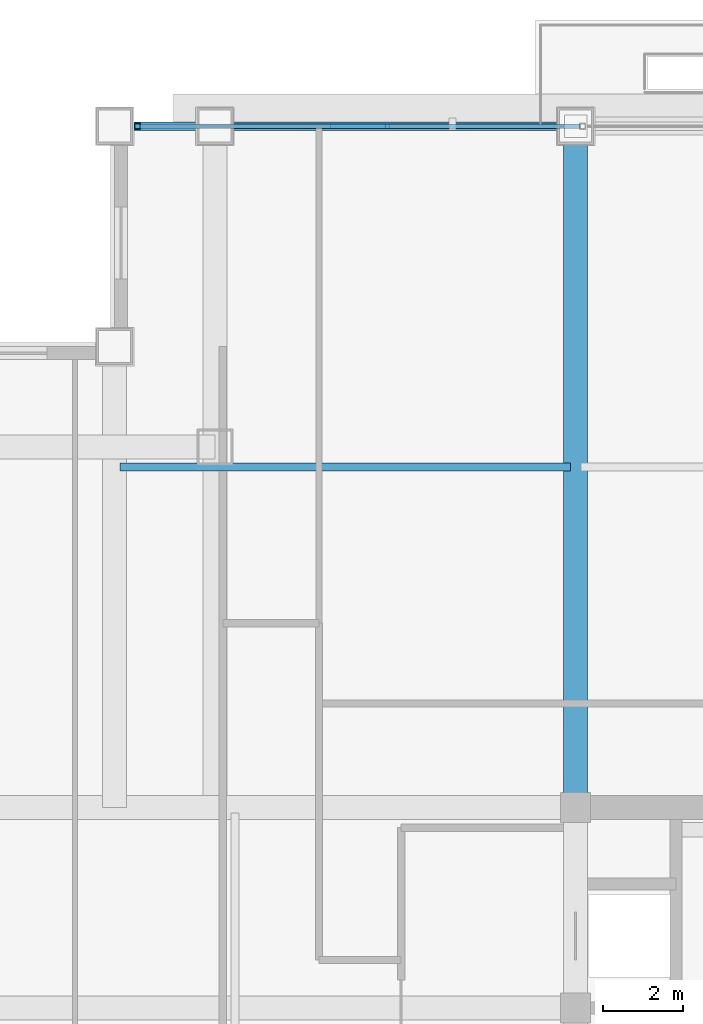
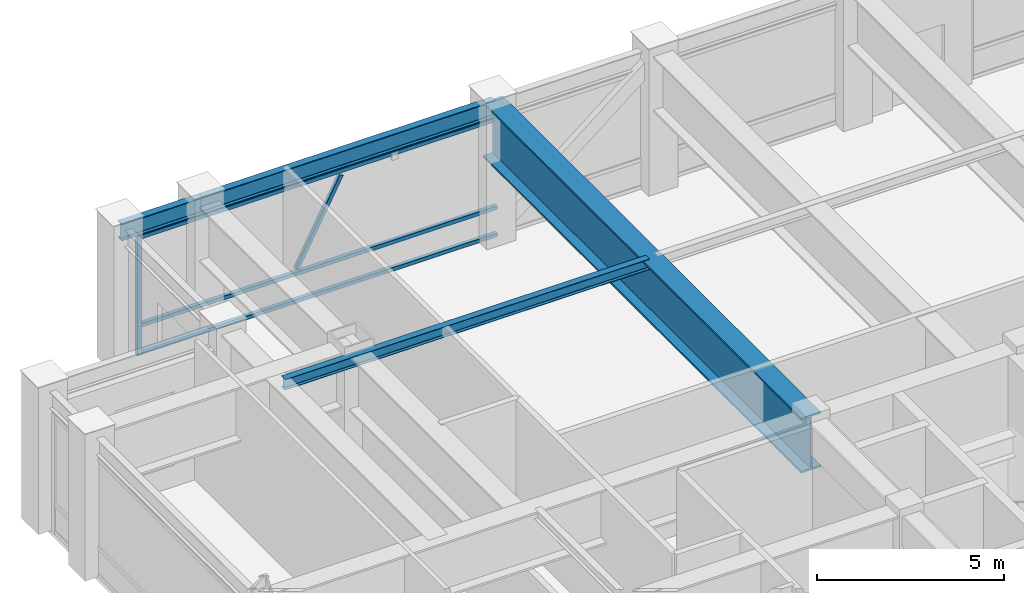
# One storey, part 15 of 31: 5 members, 4 beams, 1 element without a shape of its own.
"""IFC4 building model written with IfcOpenShell, lengths in metres."""

from ifc_helpers import new_model, si_unit, direction, frame, origin, origin_2d, place, context, subcontext, project, spatial, hollow_rectangle, i_section, extrude, source, transform, mapped, material, material_profile, profile_set, type_object, element, aggregate, save


model = new_model("IFC4")

# Units and contexts
model_context = context("Model", 3, precision=1e-05, world=origin(), true_north=direction((0.0, 1.0)))
body_context = subcontext(model_context, "Body", "Model", "MODEL_VIEW")
ifc_project = project(units=[si_unit("LENGTHUNIT", "METRE"), si_unit("AREAUNIT", "SQUARE_METRE"), si_unit("VOLUMEUNIT", "CUBIC_METRE"), si_unit("PLANEANGLEUNIT", "RADIAN"), si_unit("MASSUNIT", "GRAM", prefix="KILO")], contexts=[model_context])

# Site, building, storey
site_placement = place(None, origin())
site = spatial("IfcSite", under=ifc_project, at=site_placement, CompositionType="ELEMENT")
building_placement = place(site_placement, origin())
building = spatial("IfcBuilding", under=site, at=building_placement, Name="Khorayat Bourse Tower", CompositionType="ELEMENT")
storey_placement = place(building_placement, frame((0.0, 0.0, 321.5)))
storey = spatial("IfcBuildingStorey", under=building, at=storey_placement, Name="L76", CompositionType="ELEMENT", Elevation=321.5)

# Beams
ifc_material_1 = material(Name="Steel EN 10025-4 S460M", Category="steel")
ifc_material_profile_1 = material_profile(ifc_material_1, i_section(OverallWidth=0.60009765625, OverallDepth=1.800048828125, WebThickness=0.031982421875, FlangeThickness=0.06005859375, at=origin_2d()), Name="PG 1800x600x32x60")
ifc_profile_set_1 = profile_set([ifc_material_profile_1], Name="Steel EN 10025-4 S460M")
beam_type_1 = type_object("IfcBeamType", Name="BM-TR-1800", PredefinedType="BEAM", material=ifc_profile_set_1)
shared_shape_1 = source(origin(), body_context, "Body", "SweptSolid", [
    extrude(i_section(OverallWidth=0.60009765625, OverallDepth=1.800048828125, WebThickness=0.031982421875, FlangeThickness=0.06005859375, at=origin_2d()), origin(), (0.0, 0.0, 1.0), 17.0),
])
beam_1_placement = place(storey_placement, frame((-11.0, 11.0, 3.60009765625), z_axis=(0.0, 1.0, 0.0), x_axis=(-1.0, 0.0, 0.0)))
element("IfcBeam", 1, at=beam_1_placement, inside=storey, type_object=beam_type_1, Name="L76 BM-TR-1800 BM-L76-RADY-064", PredefinedType="BEAM", context=body_context, shape_type="MappedRepresentation", body=[
    mapped(shared_shape_1, transform((0.0, 0.0, 0.0), scale=1.0)),
])
ifc_material_2 = material(Name="Steel ASTM A992 Grade 50", Category="steel")
ifc_material_profile_2 = material_profile(ifc_material_2, i_section(OverallWidth=0.202880859375, OverallDepth=0.346923828125, WebThickness=0.0078125, FlangeThickness=0.013427734375, FilletRadius=0.010009765625, at=origin_2d()), Name="W360X64")
ifc_profile_set_2 = profile_set([ifc_material_profile_2], Name="Steel ASTM A992 Grade 50")
beam_type_2 = type_object("IfcBeamType", Name="BM-JOIST-360", PredefinedType="JOIST", material=ifc_profile_set_2)
shared_shape_2 = source(origin(), body_context, "Body", "SweptSolid", [
    extrude(i_section(OverallWidth=0.202880859375, OverallDepth=0.346923828125, WebThickness=0.0078125, FlangeThickness=0.013427734375, FilletRadius=0.010009765625, at=origin_2d()), origin(), (0.0, 0.0, 1.0), 11.240234375),
])
beam_2_placement = place(storey_placement, frame((-22.3701171875, 19.5, 4.366455078125), z_axis=(1.0, 0.0, 0.0), x_axis=(0.0, 1.0, 0.0)))
element("IfcBeam", 2, at=beam_2_placement, inside=storey, type_object=beam_type_2, Name="L76 BM-JOIST-360 BM-L76-JSTX-099", PredefinedType="JOIST", context=body_context, shape_type="MappedRepresentation", body=[
    mapped(shared_shape_2, transform((0.0, 0.0, 0.0), scale=1.0)),
])
ifc_material_profile_3 = material_profile(ifc_material_2, i_section(OverallWidth=0.214111328125, OverallDepth=0.549072265625, WebThickness=0.0146484375, FlangeThickness=0.023681640625, FilletRadius=0.013916015625, at=origin_2d()), Name="W530X138")
ifc_profile_set_3 = profile_set([ifc_material_profile_3], Name="Steel ASTM A992 Grade 50")
beam_type_3 = type_object("IfcBeamType", Name="BM-SPAN-530", PredefinedType="SPANDREL", material=ifc_profile_set_3)
shared_shape_3 = source(origin(), body_context, "Body", "SweptSolid", [
    extrude(i_section(OverallWidth=0.214111328125, OverallDepth=0.549072265625, WebThickness=0.0146484375, FlangeThickness=0.023681640625, FilletRadius=0.013916015625, at=origin_2d()), origin(), (0.0, 0.0, 1.0), 2.5),
])
beam_3_placement = place(storey_placement, frame((-22.5, 28.0, 4.2255859375), z_axis=(1.0, 0.0, 0.0), x_axis=(0.0, 1.0, 0.0)))
element("IfcBeam", 3, at=beam_3_placement, inside=storey, type_object=beam_type_3, Name="L76 BM-SPAN-530 BM-L76-SPN-051", PredefinedType="SPANDREL", context=body_context, shape_type="MappedRepresentation", body=[
    mapped(shared_shape_3, transform((0.0, 0.0, 0.0), scale=1.0)),
])
shared_shape_4 = source(origin(), body_context, "Body", "SweptSolid", [
    extrude(i_section(OverallWidth=0.214111328125, OverallDepth=0.549072265625, WebThickness=0.0146484375, FlangeThickness=0.023681640625, FilletRadius=0.013916015625, at=origin_2d()), origin(), (0.0, 0.0, 1.0), 9.0),
])
beam_4_placement = place(storey_placement, frame((-20.0, 28.0, 4.2255859375), z_axis=(1.0, 0.0, 0.0), x_axis=(0.0, 1.0, 0.0)))
element("IfcBeam", 4, at=beam_4_placement, inside=storey, type_object=beam_type_3, Name="L76 BM-SPAN-530 BM-L76-SPN-050", PredefinedType="SPANDREL", context=body_context, shape_type="MappedRepresentation", body=[
    mapped(shared_shape_4, transform((0.0, 0.0, 0.0), scale=1.0)),
])

# Curtain wall, members
ifc_material_3 = material(Name="Aluminium EN AW-6063 T6", Category="aluminium")
curtain_wall_type = type_object("IfcCurtainWallType", Name="CW-SYS-05", PredefinedType="NOTDEFINED", material=ifc_material_3)
curtain_wall_placement = place(storey_placement, origin())
curtain_wall = element("IfcCurtainWall", 5, at=curtain_wall_placement, inside=storey, type_object=curtain_wall_type, Name="L76 Curtain Wall CW-L76-N1", PredefinedType="NOTDEFINED")
ifc_material_profile_4 = material_profile(ifc_material_3, hollow_rectangle(XDim=0.139892578125, YDim=0.139892578125, WallThickness=0.006103515625, at=origin_2d()), Name="ALU 140x140x6")
ifc_profile_set_4 = profile_set([ifc_material_profile_4], Name="Aluminium EN AW-6063 T6")
member_type_1 = type_object("IfcMemberType", Name="CWM-VERT-140", PredefinedType="MULLION", material=ifc_profile_set_4)
shared_shape_5 = source(origin(), body_context, "Body", "SweptSolid", [
    extrude(hollow_rectangle(XDim=0.139892578125, YDim=0.139892578125, WallThickness=0.006103515625, at=origin_2d()), origin(), (0.0, 0.0, 1.0), 3.889892578125),
])
member_1_placement = place(storey_placement, frame((-21.929931640625, 28.0, 0.0), z_axis=(0.0, 0.0, 1.0), x_axis=(0.0, 1.0, 0.0)))
member_1 = element("IfcMember", 6, at=member_1_placement, type_object=member_type_1, Name="CW-L76-N1 Vertical Mullion 1", PredefinedType="MULLION", context=body_context, shape_type="MappedRepresentation", body=[
    mapped(shared_shape_5, transform((0.0, 0.0, 0.0), scale=1.0)),
])
ifc_material_profile_5 = material_profile(ifc_material_3, hollow_rectangle(XDim=0.1201171875, YDim=0.1201171875, WallThickness=0.0048828125, at=origin_2d()), Name="ALU 120x120x5")
ifc_profile_set_5 = profile_set([ifc_material_profile_5], Name="Aluminium EN AW-6063 T6")
member_type_2 = type_object("IfcMemberType", Name="CWT-HORZ-120", PredefinedType="USERDEFINED", material=ifc_profile_set_5)
shared_shape_6 = source(origin(), body_context, "Body", "SweptSolid", [
    extrude(hollow_rectangle(XDim=0.1201171875, YDim=0.1201171875, WallThickness=0.0048828125, at=origin_2d()), origin(), (0.0, 0.0, 1.0), 10.965087890625),
])
member_2_placement = place(storey_placement, frame((-21.860107421875, 28.0, 0.06005859375), z_axis=(1.0, 0.0, 0.0), x_axis=(0.0, 1.0, 0.0)))
member_2 = element("IfcMember", 7, at=member_2_placement, type_object=member_type_2, Name="CW-L76-N1 Horizontal Transom 1-1", ObjectType="TRANSOM", PredefinedType="USERDEFINED", context=body_context, shape_type="MappedRepresentation", body=[
    mapped(shared_shape_6, transform((0.0, 0.0, 0.0), scale=1.0)),
])
member_3_placement = place(storey_placement, frame((-21.860107421875, 28.0, 0.949951171875), z_axis=(1.0, 0.0, 0.0), x_axis=(0.0, 1.0, 0.0)))
member_3 = element("IfcMember", 8, at=member_3_placement, type_object=member_type_2, Name="CW-L76-N1 Horizontal Transom 1-2", ObjectType="TRANSOM", PredefinedType="USERDEFINED", context=body_context, shape_type="MappedRepresentation", body=[
    mapped(shared_shape_6, transform((0.0, 0.0, 0.0), scale=1.0)),
])
member_4_placement = place(storey_placement, frame((-21.860107421875, 28.0, 3.830078125), z_axis=(1.0, 0.0, 0.0), x_axis=(0.0, 1.0, 0.0)))
member_4 = element("IfcMember", 9, at=member_4_placement, type_object=member_type_2, Name="CW-L76-N1 Horizontal Transom 1-3", ObjectType="TRANSOM", PredefinedType="USERDEFINED", context=body_context, shape_type="MappedRepresentation", body=[
    mapped(shared_shape_6, transform((0.0, 0.0, 0.0), scale=1.0)),
])
ifc_material_profile_6 = material_profile(ifc_material_3, hollow_rectangle(XDim=0.1201171875, YDim=0.1201171875, WallThickness=0.0048828125, at=origin_2d()), Name="ALU 120x120x5")
ifc_profile_set_6 = profile_set([ifc_material_profile_6], Name="Aluminium EN AW-6063 T6")
member_type_3 = type_object("IfcMemberType", Name="CWM-DIAG-120", PredefinedType="MULLION", material=ifc_profile_set_6)
shared_shape_7 = source(origin(), body_context, "Body", "SweptSolid", [
    extrude(hollow_rectangle(XDim=0.1201171875, YDim=0.1201171875, WallThickness=0.0048828125, at=origin_2d()), origin(), (0.0, 0.0, 1.0), 2.93798828125),
])
member_5_placement = place(storey_placement, frame((-17.061767578125, 28.0, 1.090087890625), z_axis=(0.465763557035, 0.0, 0.884909209432), x_axis=(0.0, 1.0, 0.0)))
member_5 = element("IfcMember", 10, at=member_5_placement, type_object=member_type_3, Name="CW-L76-N1 Faceted Diagonal Mullion 1", PredefinedType="MULLION", context=body_context, shape_type="MappedRepresentation", body=[
    mapped(shared_shape_7, transform((0.0, 0.0, 0.0), scale=1.0)),
])
aggregate(curtain_wall, [member_1, member_2, member_3, member_4, member_5])

save(model, "model.ifc")
